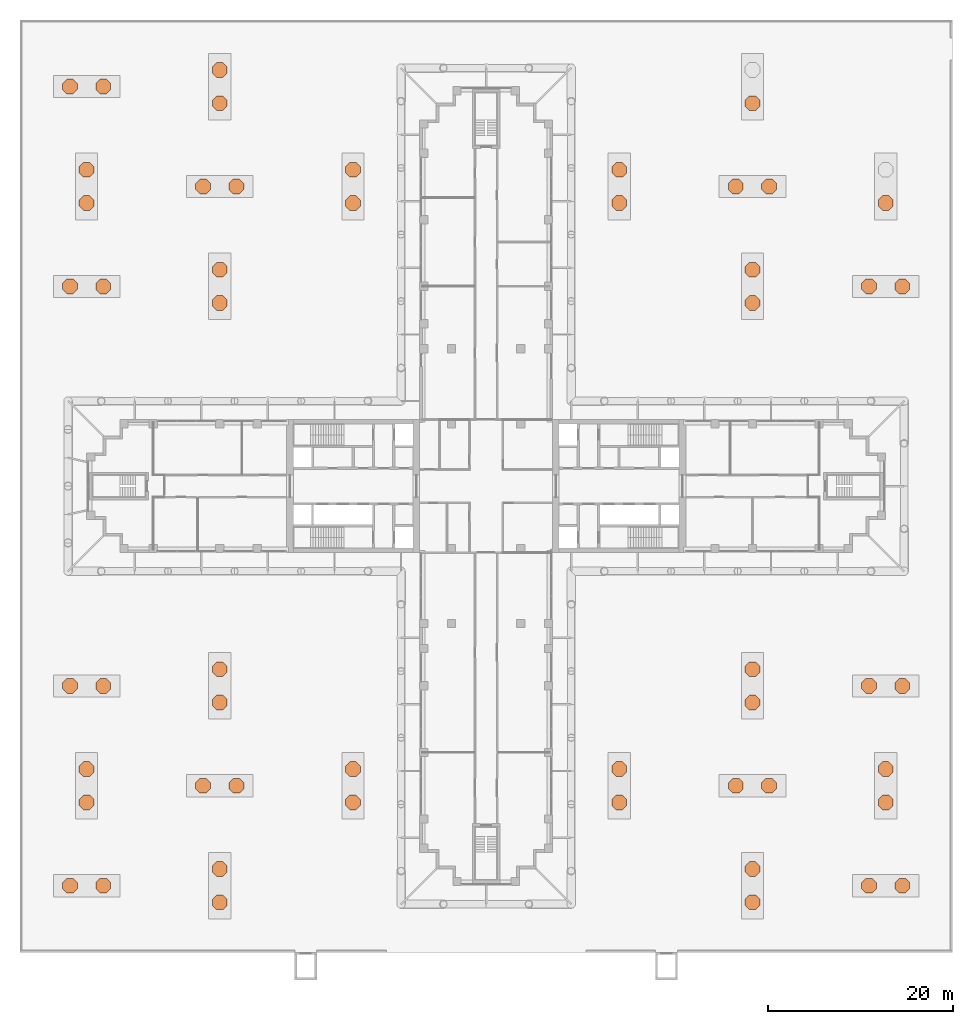
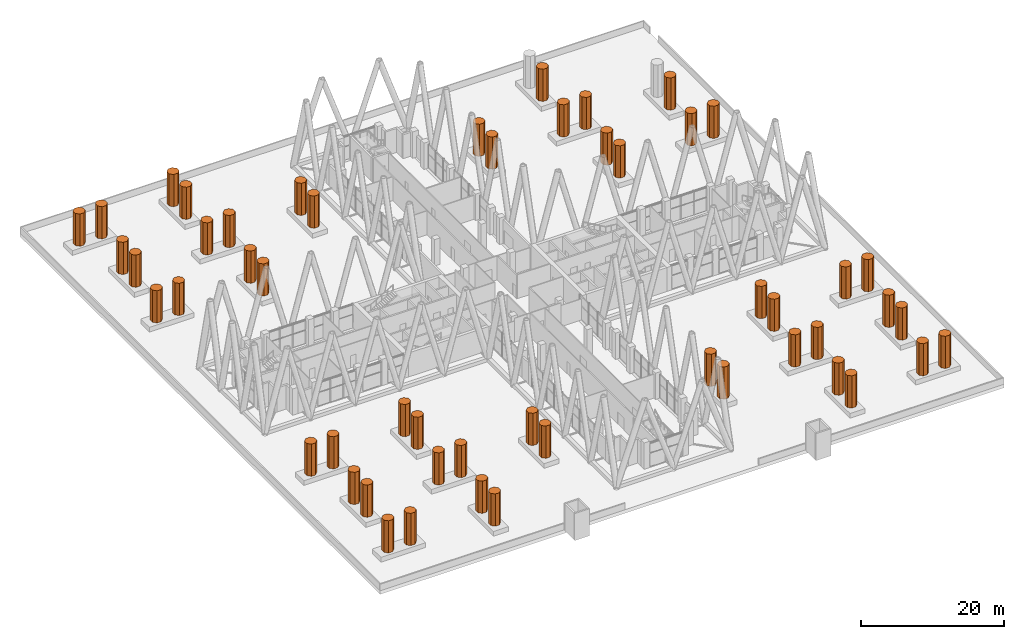
# One storey, part 30 of 31: 52 geographic elements.
"""IFC4 building model written with IfcOpenShell, lengths in metres."""

from ifc_helpers import new_model, si_unit, direction, frame, origin, place, context, subcontext, project, spatial, polyline, outline, extrude, material, element, save


model = new_model("IFC4")

# Units and contexts
model_context = context("Model", 3, precision=1e-05, world=origin(), true_north=direction((0.0, 1.0)))
body_context = subcontext(model_context, "Body", "Model", "MODEL_VIEW")
ifc_project = project(units=[si_unit("LENGTHUNIT", "METRE"), si_unit("AREAUNIT", "SQUARE_METRE"), si_unit("VOLUMEUNIT", "CUBIC_METRE"), si_unit("PLANEANGLEUNIT", "RADIAN"), si_unit("MASSUNIT", "GRAM", prefix="KILO")], contexts=[model_context])

# Site, building, storey
site_placement = place(None, origin())
site = spatial("IfcSite", under=ifc_project, at=site_placement, CompositionType="ELEMENT")
building_placement = place(site_placement, origin())
building = spatial("IfcBuilding", under=site, at=building_placement, Name="Fustian Cross Tower", CompositionType="ELEMENT")
storey_placement = place(building_placement, frame((0.0, 0.0, 7.199951171875)))
storey = spatial("IfcBuildingStorey", under=building, at=storey_placement, Name="L01", CompositionType="ELEMENT", Elevation=7.199951171875)

# Geographic elements
ifc_material = material(Name="Evergreen foliage")
geographic_element_1_placement = place(storey_placement, frame((0.0, 0.0, 0.800048828125)))
element("IfcGeographicElement", 1, at=geographic_element_1_placement, inside=storey, material=ifc_material, Name="TREE D1", ObjectType="VEGETATION", PredefinedType="USERDEFINED", context=body_context, shape_type="SweptSolid", body=[
    extrude(outline(polyline([(-44.199951171875, -42.86865234375), (-44.668701171875, -42.39990234375), (-45.331298828125, -42.39990234375), (-45.800048828125, -42.86865234375), (-45.800048828125, -43.53125), (-45.331298828125, -44.0), (-44.668701171875, -44.0), (-44.199951171875, -43.53125), (-44.199951171875, -42.86865234375)])), origin(), (0.0, 0.0, 1.0), 5.5),
])
geographic_element_2_placement = place(storey_placement, frame((0.0, 0.0, 0.800048828125)))
element("IfcGeographicElement", 2, at=geographic_element_2_placement, inside=storey, material=ifc_material, Name="TREE D2", ObjectType="VEGETATION", PredefinedType="USERDEFINED", context=body_context, shape_type="SweptSolid", body=[
    extrude(outline(polyline([(-40.60009765625, -42.86865234375), (-41.068603515625, -42.39990234375), (-41.7314453125, -42.39990234375), (-42.199951171875, -42.86865234375), (-42.199951171875, -43.53125), (-41.7314453125, -44.0), (-41.068603515625, -44.0), (-40.60009765625, -43.53125), (-40.60009765625, -42.86865234375)])), origin(), (0.0, 0.0, 1.0), 5.5),
])
geographic_element_3_placement = place(storey_placement, frame((0.0, 0.0, 0.800048828125)))
element("IfcGeographicElement", 3, at=geographic_element_3_placement, inside=storey, material=ifc_material, Name="TREE D3", ObjectType="VEGETATION", PredefinedType="USERDEFINED", context=body_context, shape_type="SweptSolid", body=[
    extrude(outline(polyline([(-42.39990234375, -33.86865234375), (-42.86865234375, -33.39990234375), (-43.53125, -33.39990234375), (-44.0, -33.86865234375), (-44.0, -34.53125), (-43.53125, -35.0), (-42.86865234375, -35.0), (-42.39990234375, -34.53125), (-42.39990234375, -33.86865234375)])), origin(), (0.0, 0.0, 1.0), 5.5),
])
geographic_element_4_placement = place(storey_placement, frame((0.0, 0.0, 0.800048828125)))
element("IfcGeographicElement", 4, at=geographic_element_4_placement, inside=storey, material=ifc_material, Name="TREE D4", ObjectType="VEGETATION", PredefinedType="USERDEFINED", context=body_context, shape_type="SweptSolid", body=[
    extrude(outline(polyline([(-42.39990234375, -30.2685546875), (-42.86865234375, -29.800048828125), (-43.53125, -29.800048828125), (-44.0, -30.2685546875), (-44.0, -30.931396484375), (-43.53125, -31.39990234375), (-42.86865234375, -31.39990234375), (-42.39990234375, -30.931396484375), (-42.39990234375, -30.2685546875)])), origin(), (0.0, 0.0, 1.0), 5.5),
])
geographic_element_5_placement = place(storey_placement, frame((0.0, 0.0, 0.800048828125)))
element("IfcGeographicElement", 5, at=geographic_element_5_placement, inside=storey, material=ifc_material, Name="TREE D5", ObjectType="VEGETATION", PredefinedType="USERDEFINED", context=body_context, shape_type="SweptSolid", body=[
    extrude(outline(polyline([(-44.199951171875, -21.2685546875), (-44.668701171875, -20.800048828125), (-45.331298828125, -20.800048828125), (-45.800048828125, -21.2685546875), (-45.800048828125, -21.931396484375), (-45.331298828125, -22.39990234375), (-44.668701171875, -22.39990234375), (-44.199951171875, -21.931396484375), (-44.199951171875, -21.2685546875)])), origin(), (0.0, 0.0, 1.0), 5.5),
])
geographic_element_6_placement = place(storey_placement, frame((0.0, 0.0, 0.800048828125)))
element("IfcGeographicElement", 6, at=geographic_element_6_placement, inside=storey, material=ifc_material, Name="TREE D6", ObjectType="VEGETATION", PredefinedType="USERDEFINED", context=body_context, shape_type="SweptSolid", body=[
    extrude(outline(polyline([(-40.60009765625, -21.2685546875), (-41.068603515625, -20.800048828125), (-41.7314453125, -20.800048828125), (-42.199951171875, -21.2685546875), (-42.199951171875, -21.931396484375), (-41.7314453125, -22.39990234375), (-41.068603515625, -22.39990234375), (-40.60009765625, -21.931396484375), (-40.60009765625, -21.2685546875)])), origin(), (0.0, 0.0, 1.0), 5.5),
])
geographic_element_7_placement = place(storey_placement, frame((0.0, 0.0, 0.800048828125)))
element("IfcGeographicElement", 7, at=geographic_element_7_placement, inside=storey, material=ifc_material, Name="TREE D7", ObjectType="VEGETATION", PredefinedType="USERDEFINED", context=body_context, shape_type="SweptSolid", body=[
    extrude(outline(polyline([(-44.199951171875, 21.931396484375), (-44.668701171875, 22.39990234375), (-45.331298828125, 22.39990234375), (-45.800048828125, 21.931396484375), (-45.800048828125, 21.2685546875), (-45.331298828125, 20.800048828125), (-44.668701171875, 20.800048828125), (-44.199951171875, 21.2685546875), (-44.199951171875, 21.931396484375)])), origin(), (0.0, 0.0, 1.0), 5.5),
])
geographic_element_8_placement = place(storey_placement, frame((0.0, 0.0, 0.800048828125)))
element("IfcGeographicElement", 8, at=geographic_element_8_placement, inside=storey, material=ifc_material, Name="TREE D8", ObjectType="VEGETATION", PredefinedType="USERDEFINED", context=body_context, shape_type="SweptSolid", body=[
    extrude(outline(polyline([(-40.60009765625, 21.931396484375), (-41.068603515625, 22.39990234375), (-41.7314453125, 22.39990234375), (-42.199951171875, 21.931396484375), (-42.199951171875, 21.2685546875), (-41.7314453125, 20.800048828125), (-41.068603515625, 20.800048828125), (-40.60009765625, 21.2685546875), (-40.60009765625, 21.931396484375)])), origin(), (0.0, 0.0, 1.0), 5.5),
])
geographic_element_9_placement = place(storey_placement, frame((0.0, 0.0, 0.800048828125)))
element("IfcGeographicElement", 9, at=geographic_element_9_placement, inside=storey, material=ifc_material, Name="TREE D9", ObjectType="VEGETATION", PredefinedType="USERDEFINED", context=body_context, shape_type="SweptSolid", body=[
    extrude(outline(polyline([(-42.39990234375, 30.931396484375), (-42.86865234375, 31.39990234375), (-43.53125, 31.39990234375), (-44.0, 30.931396484375), (-44.0, 30.2685546875), (-43.53125, 29.800048828125), (-42.86865234375, 29.800048828125), (-42.39990234375, 30.2685546875), (-42.39990234375, 30.931396484375)])), origin(), (0.0, 0.0, 1.0), 5.5),
])
geographic_element_10_placement = place(storey_placement, frame((0.0, 0.0, 0.800048828125)))
element("IfcGeographicElement", 10, at=geographic_element_10_placement, inside=storey, material=ifc_material, Name="TREE D10", ObjectType="VEGETATION", PredefinedType="USERDEFINED", context=body_context, shape_type="SweptSolid", body=[
    extrude(outline(polyline([(-42.39990234375, 34.53125), (-42.86865234375, 35.0), (-43.53125, 35.0), (-44.0, 34.53125), (-44.0, 33.86865234375), (-43.53125, 33.39990234375), (-42.86865234375, 33.39990234375), (-42.39990234375, 33.86865234375), (-42.39990234375, 34.53125)])), origin(), (0.0, 0.0, 1.0), 5.5),
])
geographic_element_11_placement = place(storey_placement, frame((0.0, 0.0, 0.800048828125)))
element("IfcGeographicElement", 11, at=geographic_element_11_placement, inside=storey, material=ifc_material, Name="TREE D11", ObjectType="VEGETATION", PredefinedType="USERDEFINED", context=body_context, shape_type="SweptSolid", body=[
    extrude(outline(polyline([(-44.199951171875, 43.53125), (-44.668701171875, 44.0), (-45.331298828125, 44.0), (-45.800048828125, 43.53125), (-45.800048828125, 42.86865234375), (-45.331298828125, 42.39990234375), (-44.668701171875, 42.39990234375), (-44.199951171875, 42.86865234375), (-44.199951171875, 43.53125)])), origin(), (0.0, 0.0, 1.0), 5.5),
])
geographic_element_12_placement = place(storey_placement, frame((0.0, 0.0, 0.800048828125)))
element("IfcGeographicElement", 12, at=geographic_element_12_placement, inside=storey, material=ifc_material, Name="TREE D12", ObjectType="VEGETATION", PredefinedType="USERDEFINED", context=body_context, shape_type="SweptSolid", body=[
    extrude(outline(polyline([(-40.60009765625, 43.53125), (-41.068603515625, 44.0), (-41.7314453125, 44.0), (-42.199951171875, 43.53125), (-42.199951171875, 42.86865234375), (-41.7314453125, 42.39990234375), (-41.068603515625, 42.39990234375), (-40.60009765625, 42.86865234375), (-40.60009765625, 43.53125)])), origin(), (0.0, 0.0, 1.0), 5.5),
])
geographic_element_13_placement = place(storey_placement, frame((0.0, 0.0, 0.800048828125)))
element("IfcGeographicElement", 13, at=geographic_element_13_placement, inside=storey, material=ifc_material, Name="TREE D13", ObjectType="VEGETATION", PredefinedType="USERDEFINED", context=body_context, shape_type="SweptSolid", body=[
    extrude(outline(polyline([(-28.0, -44.668701171875), (-28.46875, -44.199951171875), (-29.13134765625, -44.199951171875), (-29.60009765625, -44.668701171875), (-29.60009765625, -45.331298828125), (-29.13134765625, -45.800048828125), (-28.46875, -45.800048828125), (-28.0, -45.331298828125), (-28.0, -44.668701171875)])), origin(), (0.0, 0.0, 1.0), 5.5),
])
geographic_element_14_placement = place(storey_placement, frame((0.0, 0.0, 0.800048828125)))
element("IfcGeographicElement", 14, at=geographic_element_14_placement, inside=storey, material=ifc_material, Name="TREE D14", ObjectType="VEGETATION", PredefinedType="USERDEFINED", context=body_context, shape_type="SweptSolid", body=[
    extrude(outline(polyline([(-28.0, -41.068603515625), (-28.46875, -40.60009765625), (-29.13134765625, -40.60009765625), (-29.60009765625, -41.068603515625), (-29.60009765625, -41.7314453125), (-29.13134765625, -42.199951171875), (-28.46875, -42.199951171875), (-28.0, -41.7314453125), (-28.0, -41.068603515625)])), origin(), (0.0, 0.0, 1.0), 5.5),
])
geographic_element_15_placement = place(storey_placement, frame((0.0, 0.0, 0.800048828125)))
element("IfcGeographicElement", 15, at=geographic_element_15_placement, inside=storey, material=ifc_material, Name="TREE D15", ObjectType="VEGETATION", PredefinedType="USERDEFINED", context=body_context, shape_type="SweptSolid", body=[
    extrude(outline(polyline([(-29.800048828125, -32.068603515625), (-30.2685546875, -31.60009765625), (-30.931396484375, -31.60009765625), (-31.39990234375, -32.068603515625), (-31.39990234375, -32.7314453125), (-30.931396484375, -33.199951171875), (-30.2685546875, -33.199951171875), (-29.800048828125, -32.7314453125), (-29.800048828125, -32.068603515625)])), origin(), (0.0, 0.0, 1.0), 5.5),
])
geographic_element_16_placement = place(storey_placement, frame((0.0, 0.0, 0.800048828125)))
element("IfcGeographicElement", 16, at=geographic_element_16_placement, inside=storey, material=ifc_material, Name="TREE D16", ObjectType="VEGETATION", PredefinedType="USERDEFINED", context=body_context, shape_type="SweptSolid", body=[
    extrude(outline(polyline([(-26.199951171875, -32.068603515625), (-26.668701171875, -31.60009765625), (-27.331298828125, -31.60009765625), (-27.800048828125, -32.068603515625), (-27.800048828125, -32.7314453125), (-27.331298828125, -33.199951171875), (-26.668701171875, -33.199951171875), (-26.199951171875, -32.7314453125), (-26.199951171875, -32.068603515625)])), origin(), (0.0, 0.0, 1.0), 5.5),
])
geographic_element_17_placement = place(storey_placement, frame((0.0, 0.0, 0.800048828125)))
element("IfcGeographicElement", 17, at=geographic_element_17_placement, inside=storey, material=ifc_material, Name="TREE D17", ObjectType="VEGETATION", PredefinedType="USERDEFINED", context=body_context, shape_type="SweptSolid", body=[
    extrude(outline(polyline([(-28.0, -23.068603515625), (-28.46875, -22.60009765625), (-29.13134765625, -22.60009765625), (-29.60009765625, -23.068603515625), (-29.60009765625, -23.7314453125), (-29.13134765625, -24.199951171875), (-28.46875, -24.199951171875), (-28.0, -23.7314453125), (-28.0, -23.068603515625)])), origin(), (0.0, 0.0, 1.0), 5.5),
])
geographic_element_18_placement = place(storey_placement, frame((0.0, 0.0, 0.800048828125)))
element("IfcGeographicElement", 18, at=geographic_element_18_placement, inside=storey, material=ifc_material, Name="TREE D18", ObjectType="VEGETATION", PredefinedType="USERDEFINED", context=body_context, shape_type="SweptSolid", body=[
    extrude(outline(polyline([(-28.0, -19.46875), (-28.46875, -19.0), (-29.13134765625, -19.0), (-29.60009765625, -19.46875), (-29.60009765625, -20.13134765625), (-29.13134765625, -20.60009765625), (-28.46875, -20.60009765625), (-28.0, -20.13134765625), (-28.0, -19.46875)])), origin(), (0.0, 0.0, 1.0), 5.5),
])
geographic_element_19_placement = place(storey_placement, frame((0.0, 0.0, 0.800048828125)))
element("IfcGeographicElement", 19, at=geographic_element_19_placement, inside=storey, material=ifc_material, Name="TREE D19", ObjectType="VEGETATION", PredefinedType="USERDEFINED", context=body_context, shape_type="SweptSolid", body=[
    extrude(outline(polyline([(-28.0, 20.13134765625), (-28.46875, 20.60009765625), (-29.13134765625, 20.60009765625), (-29.60009765625, 20.13134765625), (-29.60009765625, 19.46875), (-29.13134765625, 19.0), (-28.46875, 19.0), (-28.0, 19.46875), (-28.0, 20.13134765625)])), origin(), (0.0, 0.0, 1.0), 5.5),
])
geographic_element_20_placement = place(storey_placement, frame((0.0, 0.0, 0.800048828125)))
element("IfcGeographicElement", 20, at=geographic_element_20_placement, inside=storey, material=ifc_material, Name="TREE D20", ObjectType="VEGETATION", PredefinedType="USERDEFINED", context=body_context, shape_type="SweptSolid", body=[
    extrude(outline(polyline([(-28.0, 23.7314453125), (-28.46875, 24.199951171875), (-29.13134765625, 24.199951171875), (-29.60009765625, 23.7314453125), (-29.60009765625, 23.068603515625), (-29.13134765625, 22.60009765625), (-28.46875, 22.60009765625), (-28.0, 23.068603515625), (-28.0, 23.7314453125)])), origin(), (0.0, 0.0, 1.0), 5.5),
])
geographic_element_21_placement = place(storey_placement, frame((0.0, 0.0, 0.800048828125)))
element("IfcGeographicElement", 21, at=geographic_element_21_placement, inside=storey, material=ifc_material, Name="TREE D21", ObjectType="VEGETATION", PredefinedType="USERDEFINED", context=body_context, shape_type="SweptSolid", body=[
    extrude(outline(polyline([(-29.800048828125, 32.7314453125), (-30.2685546875, 33.199951171875), (-30.931396484375, 33.199951171875), (-31.39990234375, 32.7314453125), (-31.39990234375, 32.068603515625), (-30.931396484375, 31.60009765625), (-30.2685546875, 31.60009765625), (-29.800048828125, 32.068603515625), (-29.800048828125, 32.7314453125)])), origin(), (0.0, 0.0, 1.0), 5.5),
])
geographic_element_22_placement = place(storey_placement, frame((0.0, 0.0, 0.800048828125)))
element("IfcGeographicElement", 22, at=geographic_element_22_placement, inside=storey, material=ifc_material, Name="TREE D22", ObjectType="VEGETATION", PredefinedType="USERDEFINED", context=body_context, shape_type="SweptSolid", body=[
    extrude(outline(polyline([(-26.199951171875, 32.7314453125), (-26.668701171875, 33.199951171875), (-27.331298828125, 33.199951171875), (-27.800048828125, 32.7314453125), (-27.800048828125, 32.068603515625), (-27.331298828125, 31.60009765625), (-26.668701171875, 31.60009765625), (-26.199951171875, 32.068603515625), (-26.199951171875, 32.7314453125)])), origin(), (0.0, 0.0, 1.0), 5.5),
])
geographic_element_23_placement = place(storey_placement, frame((0.0, 0.0, 0.800048828125)))
element("IfcGeographicElement", 23, at=geographic_element_23_placement, inside=storey, material=ifc_material, Name="TREE D23", ObjectType="VEGETATION", PredefinedType="USERDEFINED", context=body_context, shape_type="SweptSolid", body=[
    extrude(outline(polyline([(-28.0, 41.7314453125), (-28.46875, 42.199951171875), (-29.13134765625, 42.199951171875), (-29.60009765625, 41.7314453125), (-29.60009765625, 41.068603515625), (-29.13134765625, 40.60009765625), (-28.46875, 40.60009765625), (-28.0, 41.068603515625), (-28.0, 41.7314453125)])), origin(), (0.0, 0.0, 1.0), 5.5),
])
geographic_element_24_placement = place(storey_placement, frame((0.0, 0.0, 0.800048828125)))
element("IfcGeographicElement", 24, at=geographic_element_24_placement, inside=storey, material=ifc_material, Name="TREE D24", ObjectType="VEGETATION", PredefinedType="USERDEFINED", context=body_context, shape_type="SweptSolid", body=[
    extrude(outline(polyline([(-28.0, 45.331298828125), (-28.46875, 45.800048828125), (-29.13134765625, 45.800048828125), (-29.60009765625, 45.331298828125), (-29.60009765625, 44.668701171875), (-29.13134765625, 44.199951171875), (-28.46875, 44.199951171875), (-28.0, 44.668701171875), (-28.0, 45.331298828125)])), origin(), (0.0, 0.0, 1.0), 5.5),
])
geographic_element_25_placement = place(storey_placement, frame((0.0, 0.0, 0.800048828125)))
element("IfcGeographicElement", 25, at=geographic_element_25_placement, inside=storey, material=ifc_material, Name="TREE D25", ObjectType="VEGETATION", PredefinedType="USERDEFINED", context=body_context, shape_type="SweptSolid", body=[
    extrude(outline(polyline([(-13.60009765625, -33.86865234375), (-14.068603515625, -33.39990234375), (-14.7314453125, -33.39990234375), (-15.199951171875, -33.86865234375), (-15.199951171875, -34.53125), (-14.7314453125, -35.0), (-14.068603515625, -35.0), (-13.60009765625, -34.53125), (-13.60009765625, -33.86865234375)])), origin(), (0.0, 0.0, 1.0), 5.5),
])
geographic_element_26_placement = place(storey_placement, frame((0.0, 0.0, 0.800048828125)))
element("IfcGeographicElement", 26, at=geographic_element_26_placement, inside=storey, material=ifc_material, Name="TREE D26", ObjectType="VEGETATION", PredefinedType="USERDEFINED", context=body_context, shape_type="SweptSolid", body=[
    extrude(outline(polyline([(-13.60009765625, -30.2685546875), (-14.068603515625, -29.800048828125), (-14.7314453125, -29.800048828125), (-15.199951171875, -30.2685546875), (-15.199951171875, -30.931396484375), (-14.7314453125, -31.39990234375), (-14.068603515625, -31.39990234375), (-13.60009765625, -30.931396484375), (-13.60009765625, -30.2685546875)])), origin(), (0.0, 0.0, 1.0), 5.5),
])
geographic_element_27_placement = place(storey_placement, frame((0.0, 0.0, 0.800048828125)))
element("IfcGeographicElement", 27, at=geographic_element_27_placement, inside=storey, material=ifc_material, Name="TREE D27", ObjectType="VEGETATION", PredefinedType="USERDEFINED", context=body_context, shape_type="SweptSolid", body=[
    extrude(outline(polyline([(-13.60009765625, 30.931396484375), (-14.068603515625, 31.39990234375), (-14.7314453125, 31.39990234375), (-15.199951171875, 30.931396484375), (-15.199951171875, 30.2685546875), (-14.7314453125, 29.800048828125), (-14.068603515625, 29.800048828125), (-13.60009765625, 30.2685546875), (-13.60009765625, 30.931396484375)])), origin(), (0.0, 0.0, 1.0), 5.5),
])
geographic_element_28_placement = place(storey_placement, frame((0.0, 0.0, 0.800048828125)))
element("IfcGeographicElement", 28, at=geographic_element_28_placement, inside=storey, material=ifc_material, Name="TREE D28", ObjectType="VEGETATION", PredefinedType="USERDEFINED", context=body_context, shape_type="SweptSolid", body=[
    extrude(outline(polyline([(-13.60009765625, 34.53125), (-14.068603515625, 35.0), (-14.7314453125, 35.0), (-15.199951171875, 34.53125), (-15.199951171875, 33.86865234375), (-14.7314453125, 33.39990234375), (-14.068603515625, 33.39990234375), (-13.60009765625, 33.86865234375), (-13.60009765625, 34.53125)])), origin(), (0.0, 0.0, 1.0), 5.5),
])
geographic_element_29_placement = place(storey_placement, frame((0.0, 0.0, 0.800048828125)))
element("IfcGeographicElement", 29, at=geographic_element_29_placement, inside=storey, material=ifc_material, Name="TREE D29", ObjectType="VEGETATION", PredefinedType="USERDEFINED", context=body_context, shape_type="SweptSolid", body=[
    extrude(outline(polyline([(15.199951171875, -33.86865234375), (14.7314453125, -33.39990234375), (14.068603515625, -33.39990234375), (13.60009765625, -33.86865234375), (13.60009765625, -34.53125), (14.068603515625, -35.0), (14.7314453125, -35.0), (15.199951171875, -34.53125), (15.199951171875, -33.86865234375)])), origin(), (0.0, 0.0, 1.0), 5.5),
])
geographic_element_30_placement = place(storey_placement, frame((0.0, 0.0, 0.800048828125)))
element("IfcGeographicElement", 30, at=geographic_element_30_placement, inside=storey, material=ifc_material, Name="TREE D30", ObjectType="VEGETATION", PredefinedType="USERDEFINED", context=body_context, shape_type="SweptSolid", body=[
    extrude(outline(polyline([(15.199951171875, -30.2685546875), (14.7314453125, -29.800048828125), (14.068603515625, -29.800048828125), (13.60009765625, -30.2685546875), (13.60009765625, -30.931396484375), (14.068603515625, -31.39990234375), (14.7314453125, -31.39990234375), (15.199951171875, -30.931396484375), (15.199951171875, -30.2685546875)])), origin(), (0.0, 0.0, 1.0), 5.5),
])
geographic_element_31_placement = place(storey_placement, frame((0.0, 0.0, 0.800048828125)))
element("IfcGeographicElement", 31, at=geographic_element_31_placement, inside=storey, material=ifc_material, Name="TREE D31", ObjectType="VEGETATION", PredefinedType="USERDEFINED", context=body_context, shape_type="SweptSolid", body=[
    extrude(outline(polyline([(15.199951171875, 30.931396484375), (14.7314453125, 31.39990234375), (14.068603515625, 31.39990234375), (13.60009765625, 30.931396484375), (13.60009765625, 30.2685546875), (14.068603515625, 29.800048828125), (14.7314453125, 29.800048828125), (15.199951171875, 30.2685546875), (15.199951171875, 30.931396484375)])), origin(), (0.0, 0.0, 1.0), 5.5),
])
geographic_element_32_placement = place(storey_placement, frame((0.0, 0.0, 0.800048828125)))
element("IfcGeographicElement", 32, at=geographic_element_32_placement, inside=storey, material=ifc_material, Name="TREE D32", ObjectType="VEGETATION", PredefinedType="USERDEFINED", context=body_context, shape_type="SweptSolid", body=[
    extrude(outline(polyline([(15.199951171875, 34.53125), (14.7314453125, 35.0), (14.068603515625, 35.0), (13.60009765625, 34.53125), (13.60009765625, 33.86865234375), (14.068603515625, 33.39990234375), (14.7314453125, 33.39990234375), (15.199951171875, 33.86865234375), (15.199951171875, 34.53125)])), origin(), (0.0, 0.0, 1.0), 5.5),
])
geographic_element_33_placement = place(storey_placement, frame((0.0, 0.0, 0.800048828125)))
element("IfcGeographicElement", 33, at=geographic_element_33_placement, inside=storey, material=ifc_material, Name="TREE D33", ObjectType="VEGETATION", PredefinedType="USERDEFINED", context=body_context, shape_type="SweptSolid", body=[
    extrude(outline(polyline([(29.60009765625, -44.668701171875), (29.13134765625, -44.199951171875), (28.46875, -44.199951171875), (28.0, -44.668701171875), (28.0, -45.331298828125), (28.46875, -45.800048828125), (29.13134765625, -45.800048828125), (29.60009765625, -45.331298828125), (29.60009765625, -44.668701171875)])), origin(), (0.0, 0.0, 1.0), 5.5),
])
geographic_element_34_placement = place(storey_placement, frame((0.0, 0.0, 0.800048828125)))
element("IfcGeographicElement", 34, at=geographic_element_34_placement, inside=storey, material=ifc_material, Name="TREE D34", ObjectType="VEGETATION", PredefinedType="USERDEFINED", context=body_context, shape_type="SweptSolid", body=[
    extrude(outline(polyline([(29.60009765625, -41.068603515625), (29.13134765625, -40.60009765625), (28.46875, -40.60009765625), (28.0, -41.068603515625), (28.0, -41.7314453125), (28.46875, -42.199951171875), (29.13134765625, -42.199951171875), (29.60009765625, -41.7314453125), (29.60009765625, -41.068603515625)])), origin(), (0.0, 0.0, 1.0), 5.5),
])
geographic_element_35_placement = place(storey_placement, frame((0.0, 0.0, 0.800048828125)))
element("IfcGeographicElement", 35, at=geographic_element_35_placement, inside=storey, material=ifc_material, Name="TREE D35", ObjectType="VEGETATION", PredefinedType="USERDEFINED", context=body_context, shape_type="SweptSolid", body=[
    extrude(outline(polyline([(27.800048828125, -32.068603515625), (27.331298828125, -31.60009765625), (26.668701171875, -31.60009765625), (26.199951171875, -32.068603515625), (26.199951171875, -32.7314453125), (26.668701171875, -33.199951171875), (27.331298828125, -33.199951171875), (27.800048828125, -32.7314453125), (27.800048828125, -32.068603515625)])), origin(), (0.0, 0.0, 1.0), 5.5),
])
geographic_element_36_placement = place(storey_placement, frame((0.0, 0.0, 0.800048828125)))
element("IfcGeographicElement", 36, at=geographic_element_36_placement, inside=storey, material=ifc_material, Name="TREE D36", ObjectType="VEGETATION", PredefinedType="USERDEFINED", context=body_context, shape_type="SweptSolid", body=[
    extrude(outline(polyline([(31.39990234375, -32.068603515625), (30.931396484375, -31.60009765625), (30.2685546875, -31.60009765625), (29.800048828125, -32.068603515625), (29.800048828125, -32.7314453125), (30.2685546875, -33.199951171875), (30.931396484375, -33.199951171875), (31.39990234375, -32.7314453125), (31.39990234375, -32.068603515625)])), origin(), (0.0, 0.0, 1.0), 5.5),
])
geographic_element_37_placement = place(storey_placement, frame((0.0, 0.0, 0.800048828125)))
element("IfcGeographicElement", 37, at=geographic_element_37_placement, inside=storey, material=ifc_material, Name="TREE D37", ObjectType="VEGETATION", PredefinedType="USERDEFINED", context=body_context, shape_type="SweptSolid", body=[
    extrude(outline(polyline([(29.60009765625, -23.068603515625), (29.13134765625, -22.60009765625), (28.46875, -22.60009765625), (28.0, -23.068603515625), (28.0, -23.7314453125), (28.46875, -24.199951171875), (29.13134765625, -24.199951171875), (29.60009765625, -23.7314453125), (29.60009765625, -23.068603515625)])), origin(), (0.0, 0.0, 1.0), 5.5),
])
geographic_element_38_placement = place(storey_placement, frame((0.0, 0.0, 0.800048828125)))
element("IfcGeographicElement", 38, at=geographic_element_38_placement, inside=storey, material=ifc_material, Name="TREE D38", ObjectType="VEGETATION", PredefinedType="USERDEFINED", context=body_context, shape_type="SweptSolid", body=[
    extrude(outline(polyline([(29.60009765625, -19.46875), (29.13134765625, -19.0), (28.46875, -19.0), (28.0, -19.46875), (28.0, -20.13134765625), (28.46875, -20.60009765625), (29.13134765625, -20.60009765625), (29.60009765625, -20.13134765625), (29.60009765625, -19.46875)])), origin(), (0.0, 0.0, 1.0), 5.5),
])
geographic_element_39_placement = place(storey_placement, frame((0.0, 0.0, 0.800048828125)))
element("IfcGeographicElement", 39, at=geographic_element_39_placement, inside=storey, material=ifc_material, Name="TREE D39", ObjectType="VEGETATION", PredefinedType="USERDEFINED", context=body_context, shape_type="SweptSolid", body=[
    extrude(outline(polyline([(29.60009765625, 20.13134765625), (29.13134765625, 20.60009765625), (28.46875, 20.60009765625), (28.0, 20.13134765625), (28.0, 19.46875), (28.46875, 19.0), (29.13134765625, 19.0), (29.60009765625, 19.46875), (29.60009765625, 20.13134765625)])), origin(), (0.0, 0.0, 1.0), 5.5),
])
geographic_element_40_placement = place(storey_placement, frame((0.0, 0.0, 0.800048828125)))
element("IfcGeographicElement", 40, at=geographic_element_40_placement, inside=storey, material=ifc_material, Name="TREE D40", ObjectType="VEGETATION", PredefinedType="USERDEFINED", context=body_context, shape_type="SweptSolid", body=[
    extrude(outline(polyline([(29.60009765625, 23.7314453125), (29.13134765625, 24.199951171875), (28.46875, 24.199951171875), (28.0, 23.7314453125), (28.0, 23.068603515625), (28.46875, 22.60009765625), (29.13134765625, 22.60009765625), (29.60009765625, 23.068603515625), (29.60009765625, 23.7314453125)])), origin(), (0.0, 0.0, 1.0), 5.5),
])
geographic_element_41_placement = place(storey_placement, frame((0.0, 0.0, 0.800048828125)))
element("IfcGeographicElement", 41, at=geographic_element_41_placement, inside=storey, material=ifc_material, Name="TREE D41", ObjectType="VEGETATION", PredefinedType="USERDEFINED", context=body_context, shape_type="SweptSolid", body=[
    extrude(outline(polyline([(27.800048828125, 32.7314453125), (27.331298828125, 33.199951171875), (26.668701171875, 33.199951171875), (26.199951171875, 32.7314453125), (26.199951171875, 32.068603515625), (26.668701171875, 31.60009765625), (27.331298828125, 31.60009765625), (27.800048828125, 32.068603515625), (27.800048828125, 32.7314453125)])), origin(), (0.0, 0.0, 1.0), 5.5),
])
geographic_element_42_placement = place(storey_placement, frame((0.0, 0.0, 0.800048828125)))
element("IfcGeographicElement", 42, at=geographic_element_42_placement, inside=storey, material=ifc_material, Name="TREE D42", ObjectType="VEGETATION", PredefinedType="USERDEFINED", context=body_context, shape_type="SweptSolid", body=[
    extrude(outline(polyline([(31.39990234375, 32.7314453125), (30.931396484375, 33.199951171875), (30.2685546875, 33.199951171875), (29.800048828125, 32.7314453125), (29.800048828125, 32.068603515625), (30.2685546875, 31.60009765625), (30.931396484375, 31.60009765625), (31.39990234375, 32.068603515625), (31.39990234375, 32.7314453125)])), origin(), (0.0, 0.0, 1.0), 5.5),
])
geographic_element_43_placement = place(storey_placement, frame((0.0, 0.0, 0.800048828125)))
element("IfcGeographicElement", 43, at=geographic_element_43_placement, inside=storey, material=ifc_material, Name="TREE D43", ObjectType="VEGETATION", PredefinedType="USERDEFINED", context=body_context, shape_type="SweptSolid", body=[
    extrude(outline(polyline([(29.60009765625, 41.7314453125), (29.13134765625, 42.199951171875), (28.46875, 42.199951171875), (28.0, 41.7314453125), (28.0, 41.068603515625), (28.46875, 40.60009765625), (29.13134765625, 40.60009765625), (29.60009765625, 41.068603515625), (29.60009765625, 41.7314453125)])), origin(), (0.0, 0.0, 1.0), 5.5),
])
geographic_element_44_placement = place(storey_placement, frame((0.0, 0.0, 0.800048828125)))
element("IfcGeographicElement", 44, at=geographic_element_44_placement, inside=storey, material=ifc_material, Name="TREE D45", ObjectType="VEGETATION", PredefinedType="USERDEFINED", context=body_context, shape_type="SweptSolid", body=[
    extrude(outline(polyline([(42.199951171875, -42.86865234375), (41.7314453125, -42.39990234375), (41.068603515625, -42.39990234375), (40.60009765625, -42.86865234375), (40.60009765625, -43.53125), (41.068603515625, -44.0), (41.7314453125, -44.0), (42.199951171875, -43.53125), (42.199951171875, -42.86865234375)])), origin(), (0.0, 0.0, 1.0), 5.5),
])
geographic_element_45_placement = place(storey_placement, frame((0.0, 0.0, 0.800048828125)))
element("IfcGeographicElement", 45, at=geographic_element_45_placement, inside=storey, material=ifc_material, Name="TREE D46", ObjectType="VEGETATION", PredefinedType="USERDEFINED", context=body_context, shape_type="SweptSolid", body=[
    extrude(outline(polyline([(45.800048828125, -42.86865234375), (45.331298828125, -42.39990234375), (44.668701171875, -42.39990234375), (44.199951171875, -42.86865234375), (44.199951171875, -43.53125), (44.668701171875, -44.0), (45.331298828125, -44.0), (45.800048828125, -43.53125), (45.800048828125, -42.86865234375)])), origin(), (0.0, 0.0, 1.0), 5.5),
])
geographic_element_46_placement = place(storey_placement, frame((0.0, 0.0, 0.800048828125)))
element("IfcGeographicElement", 46, at=geographic_element_46_placement, inside=storey, material=ifc_material, Name="TREE D47", ObjectType="VEGETATION", PredefinedType="USERDEFINED", context=body_context, shape_type="SweptSolid", body=[
    extrude(outline(polyline([(44.0, -33.86865234375), (43.53125, -33.39990234375), (42.86865234375, -33.39990234375), (42.39990234375, -33.86865234375), (42.39990234375, -34.53125), (42.86865234375, -35.0), (43.53125, -35.0), (44.0, -34.53125), (44.0, -33.86865234375)])), origin(), (0.0, 0.0, 1.0), 5.5),
])
geographic_element_47_placement = place(storey_placement, frame((0.0, 0.0, 0.800048828125)))
element("IfcGeographicElement", 47, at=geographic_element_47_placement, inside=storey, material=ifc_material, Name="TREE D48", ObjectType="VEGETATION", PredefinedType="USERDEFINED", context=body_context, shape_type="SweptSolid", body=[
    extrude(outline(polyline([(44.0, -30.2685546875), (43.53125, -29.800048828125), (42.86865234375, -29.800048828125), (42.39990234375, -30.2685546875), (42.39990234375, -30.931396484375), (42.86865234375, -31.39990234375), (43.53125, -31.39990234375), (44.0, -30.931396484375), (44.0, -30.2685546875)])), origin(), (0.0, 0.0, 1.0), 5.5),
])
geographic_element_48_placement = place(storey_placement, frame((0.0, 0.0, 0.800048828125)))
element("IfcGeographicElement", 48, at=geographic_element_48_placement, inside=storey, material=ifc_material, Name="TREE D49", ObjectType="VEGETATION", PredefinedType="USERDEFINED", context=body_context, shape_type="SweptSolid", body=[
    extrude(outline(polyline([(42.199951171875, -21.2685546875), (41.7314453125, -20.800048828125), (41.068603515625, -20.800048828125), (40.60009765625, -21.2685546875), (40.60009765625, -21.931396484375), (41.068603515625, -22.39990234375), (41.7314453125, -22.39990234375), (42.199951171875, -21.931396484375), (42.199951171875, -21.2685546875)])), origin(), (0.0, 0.0, 1.0), 5.5),
])
geographic_element_49_placement = place(storey_placement, frame((0.0, 0.0, 0.800048828125)))
element("IfcGeographicElement", 49, at=geographic_element_49_placement, inside=storey, material=ifc_material, Name="TREE D50", ObjectType="VEGETATION", PredefinedType="USERDEFINED", context=body_context, shape_type="SweptSolid", body=[
    extrude(outline(polyline([(45.800048828125, -21.2685546875), (45.331298828125, -20.800048828125), (44.668701171875, -20.800048828125), (44.199951171875, -21.2685546875), (44.199951171875, -21.931396484375), (44.668701171875, -22.39990234375), (45.331298828125, -22.39990234375), (45.800048828125, -21.931396484375), (45.800048828125, -21.2685546875)])), origin(), (0.0, 0.0, 1.0), 5.5),
])
geographic_element_50_placement = place(storey_placement, frame((0.0, 0.0, 0.800048828125)))
element("IfcGeographicElement", 50, at=geographic_element_50_placement, inside=storey, material=ifc_material, Name="TREE D51", ObjectType="VEGETATION", PredefinedType="USERDEFINED", context=body_context, shape_type="SweptSolid", body=[
    extrude(outline(polyline([(42.199951171875, 21.931396484375), (41.7314453125, 22.39990234375), (41.068603515625, 22.39990234375), (40.60009765625, 21.931396484375), (40.60009765625, 21.2685546875), (41.068603515625, 20.800048828125), (41.7314453125, 20.800048828125), (42.199951171875, 21.2685546875), (42.199951171875, 21.931396484375)])), origin(), (0.0, 0.0, 1.0), 5.5),
])
geographic_element_51_placement = place(storey_placement, frame((0.0, 0.0, 0.800048828125)))
element("IfcGeographicElement", 51, at=geographic_element_51_placement, inside=storey, material=ifc_material, Name="TREE D52", ObjectType="VEGETATION", PredefinedType="USERDEFINED", context=body_context, shape_type="SweptSolid", body=[
    extrude(outline(polyline([(45.800048828125, 21.931396484375), (45.331298828125, 22.39990234375), (44.668701171875, 22.39990234375), (44.199951171875, 21.931396484375), (44.199951171875, 21.2685546875), (44.668701171875, 20.800048828125), (45.331298828125, 20.800048828125), (45.800048828125, 21.2685546875), (45.800048828125, 21.931396484375)])), origin(), (0.0, 0.0, 1.0), 5.5),
])
geographic_element_52_placement = place(storey_placement, frame((0.0, 0.0, 0.800048828125)))
element("IfcGeographicElement", 52, at=geographic_element_52_placement, inside=storey, material=ifc_material, Name="TREE D53", ObjectType="VEGETATION", PredefinedType="USERDEFINED", context=body_context, shape_type="SweptSolid", body=[
    extrude(outline(polyline([(44.0, 30.931396484375), (43.53125, 31.39990234375), (42.86865234375, 31.39990234375), (42.39990234375, 30.931396484375), (42.39990234375, 30.2685546875), (42.86865234375, 29.800048828125), (43.53125, 29.800048828125), (44.0, 30.2685546875), (44.0, 30.931396484375)])), origin(), (0.0, 0.0, 1.0), 5.5),
])

save(model, "model.ifc")
